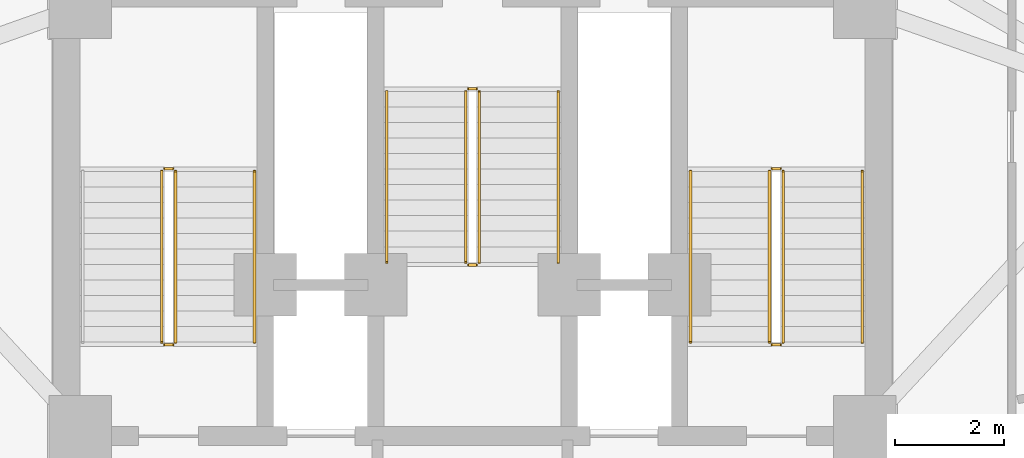
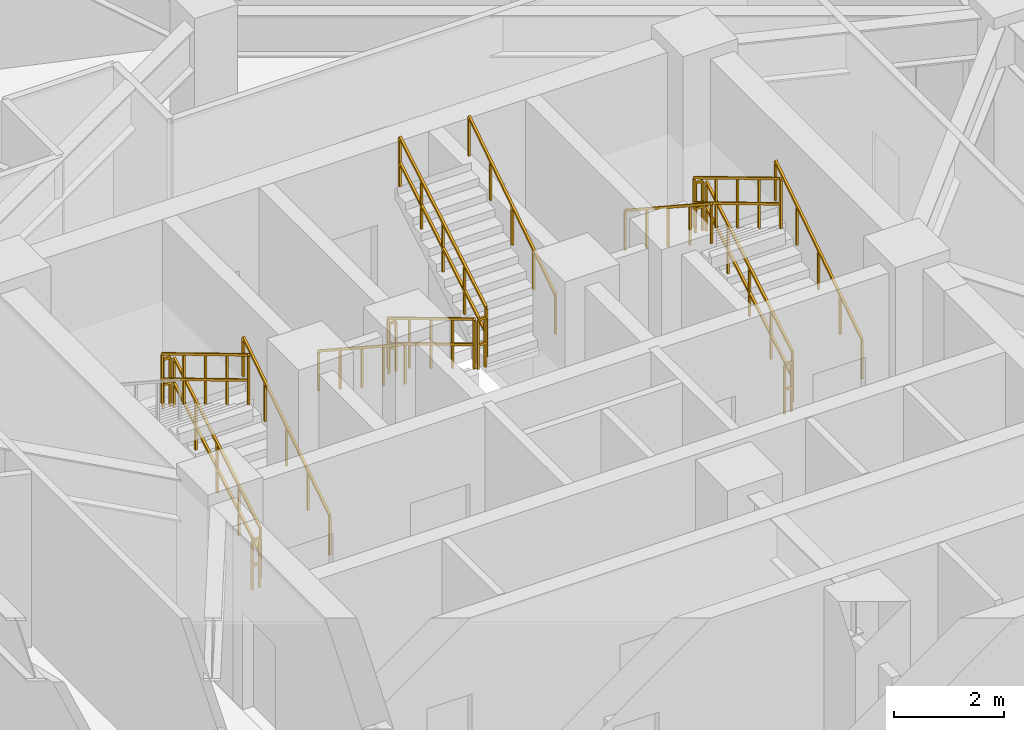
# One storey, part 11 of 11: 17 railings.
"""IFC4 building model written with IfcOpenShell, lengths in metres."""

from ifc_helpers import new_model, si_unit, direction, frame, origin, origin_2d, place, context, subcontext, project, spatial, rectangle, extrude, material, type_object, element, save


model = new_model("IFC4")

# Units and contexts
model_context = context("Model", 3, precision=1e-05, world=origin(), true_north=direction((0.0, 1.0)))
body_context = subcontext(model_context, "Body", "Model", "MODEL_VIEW")
ifc_project = project(units=[si_unit("LENGTHUNIT", "METRE"), si_unit("AREAUNIT", "SQUARE_METRE"), si_unit("VOLUMEUNIT", "CUBIC_METRE"), si_unit("PLANEANGLEUNIT", "RADIAN"), si_unit("MASSUNIT", "GRAM", prefix="KILO")], contexts=[model_context])

# Site, building, storey
site_placement = place(None, origin())
site = spatial("IfcSite", under=ifc_project, at=site_placement, CompositionType="ELEMENT")
building_placement = place(site_placement, origin())
building = spatial("IfcBuilding", under=site, at=building_placement, Name="Apsidion Concourse Tower", CompositionType="ELEMENT")
storey_placement = place(building_placement, frame((0.0, 0.0, 244.5)))
storey = spatial("IfcBuildingStorey", under=building, at=storey_placement, Name="L57", CompositionType="ELEMENT", Elevation=244.5)

# Railings
ifc_material = material(Name="Brushed stainless steel 316", Category="steel")
railing_type_1 = type_object("IfcRailingType", Name="RL-GUARD-1100", PredefinedType="GUARDRAIL", material=ifc_material)
railing_1_placement = place(storey_placement, frame((-5.449951171875, 3.0, 0.1708984375)))
element("IfcRailing", 1, at=railing_1_placement, inside=storey, type_object=railing_type_1, Name="L57 ST1 stair guard 1", PredefinedType="GUARDRAIL", context=body_context, shape_type="SweptSolid", body=[
    extrude(rectangle(XDim=0.048095703125, YDim=0.048095703125, at=origin_2d()), frame((0.0, 0.0, 1.09619140625), z_axis=(0.0, 0.857716804754, 0.514122439544), x_axis=(-1.0, 0.0, 0.0)), (0.0, 0.0, 1.0), 3.655029296875),
    extrude(rectangle(XDim=0.048095703125, YDim=0.048095703125, at=origin_2d()), frame((0.0, 0.0, 0.5361328125), z_axis=(0.0, 0.857716804754, 0.514122439544), x_axis=(-1.0, 0.0, 0.0)), (0.0, 0.0, 1.0), 3.655029296875),
    extrude(rectangle(XDim=0.0419921875, YDim=0.0419921875, at=origin_2d()), origin(), (0.0, 0.0, 1.0), 1.072021484375),
    extrude(rectangle(XDim=0.0419921875, YDim=0.0419921875, at=origin_2d()), frame((0.0, 0.78369140625, 0.4697265625)), (0.0, 0.0, 1.0), 1.072021484375),
    extrude(rectangle(XDim=0.0419921875, YDim=0.0419921875, at=origin_2d()), frame((0.0, 1.5673828125, 0.939453125)), (0.0, 0.0, 1.0), 1.072021484375),
    extrude(rectangle(XDim=0.0419921875, YDim=0.0419921875, at=origin_2d()), frame((0.0, 2.351318359375, 1.409423828125)), (0.0, 0.0, 1.0), 1.072021484375),
    extrude(rectangle(XDim=0.0419921875, YDim=0.0419921875, at=origin_2d()), frame((0.0, 3.135009765625, 1.879150390625)), (0.0, 0.0, 1.0), 1.072021484375),
])
railing_2_placement = place(storey_placement, frame((-5.5, 6.18505859375, 2.050048828125)))
element("IfcRailing", 2, at=railing_2_placement, inside=storey, type_object=railing_type_1, Name="L57 ST1 stair guard 2", PredefinedType="GUARDRAIL", context=body_context, shape_type="SweptSolid", body=[
    extrude(rectangle(XDim=0.048095703125, YDim=0.048095703125, at=origin_2d()), frame((0.0, 0.0, 1.09619140625), z_axis=(-1.0, 0.0, 0.0), x_axis=(0.0, -1.0, 0.0)), (0.0, 0.0, 1.0), 0.14990234375),
    extrude(rectangle(XDim=0.048095703125, YDim=0.048095703125, at=origin_2d()), frame((0.0, 0.0, 0.5361328125), z_axis=(-1.0, 0.0, 0.0), x_axis=(0.0, -1.0, 0.0)), (0.0, 0.0, 1.0), 0.14990234375),
    extrude(rectangle(XDim=0.0419921875, YDim=0.0419921875, at=origin_2d()), origin(), (0.0, 0.0, 1.0), 1.072021484375),
    extrude(rectangle(XDim=0.0419921875, YDim=0.0419921875, at=origin_2d()), frame((-0.14990234375, 0.0, 0.0)), (0.0, 0.0, 1.0), 1.072021484375),
])
railing_3_placement = place(storey_placement, frame((-5.699951171875, 6.135009765625, 2.220947265625)))
element("IfcRailing", 3, at=railing_3_placement, inside=storey, type_object=railing_type_1, Name="L57 ST1 stair guard 3", PredefinedType="GUARDRAIL", context=body_context, shape_type="SweptSolid", body=[
    extrude(rectangle(XDim=0.048095703125, YDim=0.048095703125, at=origin_2d()), frame((0.0, 0.0, 1.09619140625), z_axis=(0.0, -0.857716804754, 0.514122439544), x_axis=(1.0, 0.0, 0.0)), (0.0, 0.0, 1.0), 3.655029296875),
    extrude(rectangle(XDim=0.048095703125, YDim=0.048095703125, at=origin_2d()), frame((0.0, 0.0, 0.5361328125), z_axis=(0.0, -0.857716804754, 0.514122439544), x_axis=(1.0, 0.0, 0.0)), (0.0, 0.0, 1.0), 3.655029296875),
    extrude(rectangle(XDim=0.0419921875, YDim=0.0419921875, at=origin_2d()), origin(), (0.0, 0.0, 1.0), 1.072021484375),
    extrude(rectangle(XDim=0.0419921875, YDim=0.0419921875, at=origin_2d()), frame((0.0, -0.78369140625, 0.4697265625)), (0.0, 0.0, 1.0), 1.072021484375),
    extrude(rectangle(XDim=0.0419921875, YDim=0.0419921875, at=origin_2d()), frame((0.0, -1.5673828125, 0.939453125)), (0.0, 0.0, 1.0), 1.072021484375),
    extrude(rectangle(XDim=0.0419921875, YDim=0.0419921875, at=origin_2d()), frame((0.0, -2.351318359375, 1.409423828125)), (0.0, 0.0, 1.0), 1.072021484375),
    extrude(rectangle(XDim=0.0419921875, YDim=0.0419921875, at=origin_2d()), frame((0.0, -3.135009765625, 1.879150390625)), (0.0, 0.0, 1.0), 1.072021484375),
])
railing_4_placement = place(storey_placement, frame((-5.5, 2.949951171875, 0.0)))
element("IfcRailing", 4, at=railing_4_placement, inside=storey, type_object=railing_type_1, Name="L57 ST1 stair guard 4", PredefinedType="GUARDRAIL", context=body_context, shape_type="SweptSolid", body=[
    extrude(rectangle(XDim=0.048095703125, YDim=0.048095703125, at=origin_2d()), frame((0.0, 0.0, 1.09619140625), z_axis=(-1.0, 0.0, 0.0), x_axis=(0.0, -1.0, 0.0)), (0.0, 0.0, 1.0), 0.14990234375),
    extrude(rectangle(XDim=0.048095703125, YDim=0.048095703125, at=origin_2d()), frame((0.0, 0.0, 0.5361328125), z_axis=(-1.0, 0.0, 0.0), x_axis=(0.0, -1.0, 0.0)), (0.0, 0.0, 1.0), 0.14990234375),
    extrude(rectangle(XDim=0.0419921875, YDim=0.0419921875, at=origin_2d()), origin(), (0.0, 0.0, 1.0), 1.072021484375),
    extrude(rectangle(XDim=0.0419921875, YDim=0.0419921875, at=origin_2d()), frame((-0.14990234375, 0.0, 0.0)), (0.0, 0.0, 1.0), 1.072021484375),
])
railing_5_placement = place(storey_placement, frame((5.699951171875, 3.0, 0.1708984375)))
element("IfcRailing", 5, at=railing_5_placement, inside=storey, type_object=railing_type_1, Name="L57 ST2 stair guard 1", PredefinedType="GUARDRAIL", context=body_context, shape_type="SweptSolid", body=[
    extrude(rectangle(XDim=0.048095703125, YDim=0.048095703125, at=origin_2d()), frame((0.0, 0.0, 1.09619140625), z_axis=(0.0, 0.857716804754, 0.514122439544), x_axis=(-1.0, 0.0, 0.0)), (0.0, 0.0, 1.0), 3.655029296875),
    extrude(rectangle(XDim=0.048095703125, YDim=0.048095703125, at=origin_2d()), frame((0.0, 0.0, 0.5361328125), z_axis=(0.0, 0.857716804754, 0.514122439544), x_axis=(-1.0, 0.0, 0.0)), (0.0, 0.0, 1.0), 3.655029296875),
    extrude(rectangle(XDim=0.0419921875, YDim=0.0419921875, at=origin_2d()), origin(), (0.0, 0.0, 1.0), 1.072021484375),
    extrude(rectangle(XDim=0.0419921875, YDim=0.0419921875, at=origin_2d()), frame((0.0, 0.78369140625, 0.4697265625)), (0.0, 0.0, 1.0), 1.072021484375),
    extrude(rectangle(XDim=0.0419921875, YDim=0.0419921875, at=origin_2d()), frame((0.0, 1.5673828125, 0.939453125)), (0.0, 0.0, 1.0), 1.072021484375),
    extrude(rectangle(XDim=0.0419921875, YDim=0.0419921875, at=origin_2d()), frame((0.0, 2.351318359375, 1.409423828125)), (0.0, 0.0, 1.0), 1.072021484375),
    extrude(rectangle(XDim=0.0419921875, YDim=0.0419921875, at=origin_2d()), frame((0.0, 3.135009765625, 1.879150390625)), (0.0, 0.0, 1.0), 1.072021484375),
])
railing_6_placement = place(storey_placement, frame((5.64990234375, 6.18505859375, 2.050048828125)))
element("IfcRailing", 6, at=railing_6_placement, inside=storey, type_object=railing_type_1, Name="L57 ST2 stair guard 2", PredefinedType="GUARDRAIL", context=body_context, shape_type="SweptSolid", body=[
    extrude(rectangle(XDim=0.048095703125, YDim=0.048095703125, at=origin_2d()), frame((0.0, 0.0, 1.09619140625), z_axis=(-1.0, 0.0, 0.0), x_axis=(0.0, -1.0, 0.0)), (0.0, 0.0, 1.0), 0.14990234375),
    extrude(rectangle(XDim=0.048095703125, YDim=0.048095703125, at=origin_2d()), frame((0.0, 0.0, 0.5361328125), z_axis=(-1.0, 0.0, 0.0), x_axis=(0.0, -1.0, 0.0)), (0.0, 0.0, 1.0), 0.14990234375),
    extrude(rectangle(XDim=0.0419921875, YDim=0.0419921875, at=origin_2d()), origin(), (0.0, 0.0, 1.0), 1.072021484375),
    extrude(rectangle(XDim=0.0419921875, YDim=0.0419921875, at=origin_2d()), frame((-0.14990234375, 0.0, 0.0)), (0.0, 0.0, 1.0), 1.072021484375),
])
railing_7_placement = place(storey_placement, frame((5.449951171875, 6.135009765625, 2.220947265625)))
element("IfcRailing", 7, at=railing_7_placement, inside=storey, type_object=railing_type_1, Name="L57 ST2 stair guard 3", PredefinedType="GUARDRAIL", context=body_context, shape_type="SweptSolid", body=[
    extrude(rectangle(XDim=0.048095703125, YDim=0.048095703125, at=origin_2d()), frame((0.0, 0.0, 1.09619140625), z_axis=(0.0, -0.857716804754, 0.514122439544), x_axis=(1.0, 0.0, 0.0)), (0.0, 0.0, 1.0), 3.655029296875),
    extrude(rectangle(XDim=0.048095703125, YDim=0.048095703125, at=origin_2d()), frame((0.0, 0.0, 0.5361328125), z_axis=(0.0, -0.857716804754, 0.514122439544), x_axis=(1.0, 0.0, 0.0)), (0.0, 0.0, 1.0), 3.655029296875),
    extrude(rectangle(XDim=0.0419921875, YDim=0.0419921875, at=origin_2d()), origin(), (0.0, 0.0, 1.0), 1.072021484375),
    extrude(rectangle(XDim=0.0419921875, YDim=0.0419921875, at=origin_2d()), frame((0.0, -0.78369140625, 0.4697265625)), (0.0, 0.0, 1.0), 1.072021484375),
    extrude(rectangle(XDim=0.0419921875, YDim=0.0419921875, at=origin_2d()), frame((0.0, -1.5673828125, 0.939453125)), (0.0, 0.0, 1.0), 1.072021484375),
    extrude(rectangle(XDim=0.0419921875, YDim=0.0419921875, at=origin_2d()), frame((0.0, -2.351318359375, 1.409423828125)), (0.0, 0.0, 1.0), 1.072021484375),
    extrude(rectangle(XDim=0.0419921875, YDim=0.0419921875, at=origin_2d()), frame((0.0, -3.135009765625, 1.879150390625)), (0.0, 0.0, 1.0), 1.072021484375),
])
railing_8_placement = place(storey_placement, frame((5.64990234375, 2.949951171875, 0.0)))
element("IfcRailing", 8, at=railing_8_placement, inside=storey, type_object=railing_type_1, Name="L57 ST2 stair guard 4", PredefinedType="GUARDRAIL", context=body_context, shape_type="SweptSolid", body=[
    extrude(rectangle(XDim=0.048095703125, YDim=0.048095703125, at=origin_2d()), frame((0.0, 0.0, 1.09619140625), z_axis=(-1.0, 0.0, 0.0), x_axis=(0.0, -1.0, 0.0)), (0.0, 0.0, 1.0), 0.14990234375),
    extrude(rectangle(XDim=0.048095703125, YDim=0.048095703125, at=origin_2d()), frame((0.0, 0.0, 0.5361328125), z_axis=(-1.0, 0.0, 0.0), x_axis=(0.0, -1.0, 0.0)), (0.0, 0.0, 1.0), 0.14990234375),
    extrude(rectangle(XDim=0.0419921875, YDim=0.0419921875, at=origin_2d()), origin(), (0.0, 0.0, 1.0), 1.072021484375),
    extrude(rectangle(XDim=0.0419921875, YDim=0.0419921875, at=origin_2d()), frame((-0.14990234375, 0.0, 0.0)), (0.0, 0.0, 1.0), 1.072021484375),
])
railing_9_placement = place(storey_placement, frame((-0.125, 7.60009765625, 0.1708984375)))
element("IfcRailing", 9, at=railing_9_placement, inside=storey, type_object=railing_type_1, Name="L57 ST3 stair guard 1", PredefinedType="GUARDRAIL", context=body_context, shape_type="SweptSolid", body=[
    extrude(rectangle(XDim=0.048095703125, YDim=0.048095703125, at=origin_2d()), frame((0.0, 0.0, 1.09619140625), z_axis=(0.0, -0.857716804754, 0.514122439544), x_axis=(1.0, 0.0, 0.0)), (0.0, 0.0, 1.0), 3.655029296875),
    extrude(rectangle(XDim=0.048095703125, YDim=0.048095703125, at=origin_2d()), frame((0.0, 0.0, 0.5361328125), z_axis=(0.0, -0.857716804754, 0.514122439544), x_axis=(1.0, 0.0, 0.0)), (0.0, 0.0, 1.0), 3.655029296875),
    extrude(rectangle(XDim=0.0419921875, YDim=0.0419921875, at=origin_2d()), origin(), (0.0, 0.0, 1.0), 1.072021484375),
    extrude(rectangle(XDim=0.0419921875, YDim=0.0419921875, at=origin_2d()), frame((0.0, -0.78369140625, 0.4697265625)), (0.0, 0.0, 1.0), 1.072021484375),
    extrude(rectangle(XDim=0.0419921875, YDim=0.0419921875, at=origin_2d()), frame((0.0, -1.5673828125, 0.939453125)), (0.0, 0.0, 1.0), 1.072021484375),
    extrude(rectangle(XDim=0.0419921875, YDim=0.0419921875, at=origin_2d()), frame((0.0, -2.351318359375, 1.409423828125)), (0.0, 0.0, 1.0), 1.072021484375),
    extrude(rectangle(XDim=0.0419921875, YDim=0.0419921875, at=origin_2d()), frame((0.0, -3.135009765625, 1.879150390625)), (0.0, 0.0, 1.0), 1.072021484375),
])
railing_10_placement = place(storey_placement, frame((-0.074951171875, 4.4150390625, 2.050048828125)))
element("IfcRailing", 10, at=railing_10_placement, inside=storey, type_object=railing_type_1, Name="L57 ST3 stair guard 2", PredefinedType="GUARDRAIL", context=body_context, shape_type="SweptSolid", body=[
    extrude(rectangle(XDim=0.048095703125, YDim=0.048095703125, at=origin_2d()), frame((0.0, 0.0, 1.09619140625), z_axis=(1.0, 0.0, 0.0), x_axis=(0.0, 1.0, 0.0)), (0.0, 0.0, 1.0), 0.14990234375),
    extrude(rectangle(XDim=0.048095703125, YDim=0.048095703125, at=origin_2d()), frame((0.0, 0.0, 0.5361328125), z_axis=(1.0, 0.0, 0.0), x_axis=(0.0, 1.0, 0.0)), (0.0, 0.0, 1.0), 0.14990234375),
    extrude(rectangle(XDim=0.0419921875, YDim=0.0419921875, at=origin_2d()), origin(), (0.0, 0.0, 1.0), 1.072021484375),
    extrude(rectangle(XDim=0.0419921875, YDim=0.0419921875, at=origin_2d()), frame((0.14990234375, 0.0, 0.0)), (0.0, 0.0, 1.0), 1.072021484375),
])
railing_11_placement = place(storey_placement, frame((0.125, 4.465087890625, 2.220947265625)))
element("IfcRailing", 11, at=railing_11_placement, inside=storey, type_object=railing_type_1, Name="L57 ST3 stair guard 3", PredefinedType="GUARDRAIL", context=body_context, shape_type="SweptSolid", body=[
    extrude(rectangle(XDim=0.048095703125, YDim=0.048095703125, at=origin_2d()), frame((0.0, 0.0, 1.09619140625), z_axis=(0.0, 0.857716804754, 0.514122439544), x_axis=(-1.0, 0.0, 0.0)), (0.0, 0.0, 1.0), 3.655029296875),
    extrude(rectangle(XDim=0.048095703125, YDim=0.048095703125, at=origin_2d()), frame((0.0, 0.0, 0.5361328125), z_axis=(0.0, 0.857716804754, 0.514122439544), x_axis=(-1.0, 0.0, 0.0)), (0.0, 0.0, 1.0), 3.655029296875),
    extrude(rectangle(XDim=0.0419921875, YDim=0.0419921875, at=origin_2d()), origin(), (0.0, 0.0, 1.0), 1.072021484375),
    extrude(rectangle(XDim=0.0419921875, YDim=0.0419921875, at=origin_2d()), frame((0.0, 0.78369140625, 0.4697265625)), (0.0, 0.0, 1.0), 1.072021484375),
    extrude(rectangle(XDim=0.0419921875, YDim=0.0419921875, at=origin_2d()), frame((0.0, 1.5673828125, 0.939453125)), (0.0, 0.0, 1.0), 1.072021484375),
    extrude(rectangle(XDim=0.0419921875, YDim=0.0419921875, at=origin_2d()), frame((0.0, 2.351318359375, 1.409423828125)), (0.0, 0.0, 1.0), 1.072021484375),
    extrude(rectangle(XDim=0.0419921875, YDim=0.0419921875, at=origin_2d()), frame((0.0, 3.135009765625, 1.879150390625)), (0.0, 0.0, 1.0), 1.072021484375),
])
railing_12_placement = place(storey_placement, frame((-0.074951171875, 7.64990234375, 0.0)))
element("IfcRailing", 12, at=railing_12_placement, inside=storey, type_object=railing_type_1, Name="L57 ST3 stair guard 4", PredefinedType="GUARDRAIL", context=body_context, shape_type="SweptSolid", body=[
    extrude(rectangle(XDim=0.048095703125, YDim=0.048095703125, at=origin_2d()), frame((0.0, 0.0, 1.09619140625), z_axis=(1.0, 0.0, 0.0), x_axis=(0.0, 1.0, 0.0)), (0.0, 0.0, 1.0), 0.14990234375),
    extrude(rectangle(XDim=0.048095703125, YDim=0.048095703125, at=origin_2d()), frame((0.0, 0.0, 0.5361328125), z_axis=(1.0, 0.0, 0.0), x_axis=(0.0, 1.0, 0.0)), (0.0, 0.0, 1.0), 0.14990234375),
    extrude(rectangle(XDim=0.0419921875, YDim=0.0419921875, at=origin_2d()), origin(), (0.0, 0.0, 1.0), 1.072021484375),
    extrude(rectangle(XDim=0.0419921875, YDim=0.0419921875, at=origin_2d()), frame((0.14990234375, 0.0, 0.0)), (0.0, 0.0, 1.0), 1.072021484375),
])
railing_type_2 = type_object("IfcRailingType", Name="RL-HAND-900", PredefinedType="HANDRAIL", material=ifc_material)
for number, where, name in (
    (13, (-4.0, 3.0, 0.1708984375), "L57 ST1 stair handrail 1"),
    (14, (7.14990234375, 3.0, 0.1708984375), "L57 ST2 stair handrail 1"),
):
    element("IfcRailing", number, at=place(storey_placement, frame(where)), inside=storey, type_object=railing_type_2, Name=name, PredefinedType="HANDRAIL", context=body_context, shape_type="SweptSolid", body=[
        extrude(rectangle(XDim=0.048095703125, YDim=0.048095703125, at=origin_2d()), frame((0.0, 0.0, 0.8759765625), z_axis=(0.0, 0.836940907821, 0.547293263996), x_axis=(-1.0, 0.0, 0.0)), (0.0, 0.0, 1.0), 3.745849609375),
        extrude(rectangle(XDim=0.0419921875, YDim=0.0419921875, at=origin_2d()), origin(), (0.0, 0.0, 1.0), 0.851806640625),
        extrude(rectangle(XDim=0.0419921875, YDim=0.0419921875, at=origin_2d()), frame((0.0, 0.78369140625, 0.512451171875)), (0.0, 0.0, 1.0), 0.851806640625),
        extrude(rectangle(XDim=0.0419921875, YDim=0.0419921875, at=origin_2d()), frame((0.0, 1.5673828125, 1.02490234375)), (0.0, 0.0, 1.0), 0.851806640625),
        extrude(rectangle(XDim=0.0419921875, YDim=0.0419921875, at=origin_2d()), frame((0.0, 2.351318359375, 1.53759765625)), (0.0, 0.0, 1.0), 0.851806640625),
        extrude(rectangle(XDim=0.0419921875, YDim=0.0419921875, at=origin_2d()), frame((0.0, 3.135009765625, 2.050048828125)), (0.0, 0.0, 1.0), 0.851806640625),
    ])
railing_13_placement = place(storey_placement, frame((4.0, 6.135009765625, 2.220947265625)))
element("IfcRailing", 15, at=railing_13_placement, inside=storey, type_object=railing_type_2, Name="L57 ST2 stair handrail 2", PredefinedType="HANDRAIL", context=body_context, shape_type="SweptSolid", body=[
    extrude(rectangle(XDim=0.048095703125, YDim=0.048095703125, at=origin_2d()), frame((0.0, 0.0, 0.8759765625), z_axis=(0.0, -0.836970762213, 0.547247606848), x_axis=(1.0, 0.0, 0.0)), (0.0, 0.0, 1.0), 3.74560546875),
    extrude(rectangle(XDim=0.0419921875, YDim=0.0419921875, at=origin_2d()), origin(), (0.0, 0.0, 1.0), 0.851806640625),
    extrude(rectangle(XDim=0.0419921875, YDim=0.0419921875, at=origin_2d()), frame((0.0, -0.78369140625, 0.512451171875)), (0.0, 0.0, 1.0), 0.851806640625),
    extrude(rectangle(XDim=0.0419921875, YDim=0.0419921875, at=origin_2d()), frame((0.0, -1.5673828125, 1.02490234375)), (0.0, 0.0, 1.0), 0.851806640625),
    extrude(rectangle(XDim=0.0419921875, YDim=0.0419921875, at=origin_2d()), frame((0.0, -2.351318359375, 1.537353515625)), (0.0, 0.0, 1.0), 0.851806640625),
    extrude(rectangle(XDim=0.0419921875, YDim=0.0419921875, at=origin_2d()), frame((0.0, -3.135009765625, 2.0498046875)), (0.0, 0.0, 1.0), 0.851806640625),
])
railing_14_placement = place(storey_placement, frame((-1.574951171875, 7.60009765625, 0.1708984375)))
element("IfcRailing", 16, at=railing_14_placement, inside=storey, type_object=railing_type_2, Name="L57 ST3 stair handrail 1", PredefinedType="HANDRAIL", context=body_context, shape_type="SweptSolid", body=[
    extrude(rectangle(XDim=0.048095703125, YDim=0.048095703125, at=origin_2d()), frame((0.0, 0.0, 0.8759765625), z_axis=(0.0, -0.836940907821, 0.547293263996), x_axis=(1.0, 0.0, 0.0)), (0.0, 0.0, 1.0), 3.745849609375),
    extrude(rectangle(XDim=0.0419921875, YDim=0.0419921875, at=origin_2d()), origin(), (0.0, 0.0, 1.0), 0.851806640625),
    extrude(rectangle(XDim=0.0419921875, YDim=0.0419921875, at=origin_2d()), frame((0.0, -0.78369140625, 0.512451171875)), (0.0, 0.0, 1.0), 0.851806640625),
    extrude(rectangle(XDim=0.0419921875, YDim=0.0419921875, at=origin_2d()), frame((0.0, -1.5673828125, 1.02490234375)), (0.0, 0.0, 1.0), 0.851806640625),
    extrude(rectangle(XDim=0.0419921875, YDim=0.0419921875, at=origin_2d()), frame((0.0, -2.351318359375, 1.53759765625)), (0.0, 0.0, 1.0), 0.851806640625),
    extrude(rectangle(XDim=0.0419921875, YDim=0.0419921875, at=origin_2d()), frame((0.0, -3.135009765625, 2.050048828125)), (0.0, 0.0, 1.0), 0.851806640625),
])
railing_15_placement = place(storey_placement, frame((1.574951171875, 4.465087890625, 2.220947265625)))
element("IfcRailing", 17, at=railing_15_placement, inside=storey, type_object=railing_type_2, Name="L57 ST3 stair handrail 2", PredefinedType="HANDRAIL", context=body_context, shape_type="SweptSolid", body=[
    extrude(rectangle(XDim=0.048095703125, YDim=0.048095703125, at=origin_2d()), frame((0.0, 0.0, 0.8759765625), z_axis=(0.0, 0.836970762213, 0.547247606848), x_axis=(-1.0, 0.0, 0.0)), (0.0, 0.0, 1.0), 3.74560546875),
    extrude(rectangle(XDim=0.0419921875, YDim=0.0419921875, at=origin_2d()), origin(), (0.0, 0.0, 1.0), 0.851806640625),
    extrude(rectangle(XDim=0.0419921875, YDim=0.0419921875, at=origin_2d()), frame((0.0, 0.78369140625, 0.512451171875)), (0.0, 0.0, 1.0), 0.851806640625),
    extrude(rectangle(XDim=0.0419921875, YDim=0.0419921875, at=origin_2d()), frame((0.0, 1.5673828125, 1.02490234375)), (0.0, 0.0, 1.0), 0.851806640625),
    extrude(rectangle(XDim=0.0419921875, YDim=0.0419921875, at=origin_2d()), frame((0.0, 2.351318359375, 1.537353515625)), (0.0, 0.0, 1.0), 0.851806640625),
    extrude(rectangle(XDim=0.0419921875, YDim=0.0419921875, at=origin_2d()), frame((0.0, 3.135009765625, 2.0498046875)), (0.0, 0.0, 1.0), 0.851806640625),
])

save(model, "model.ifc")
